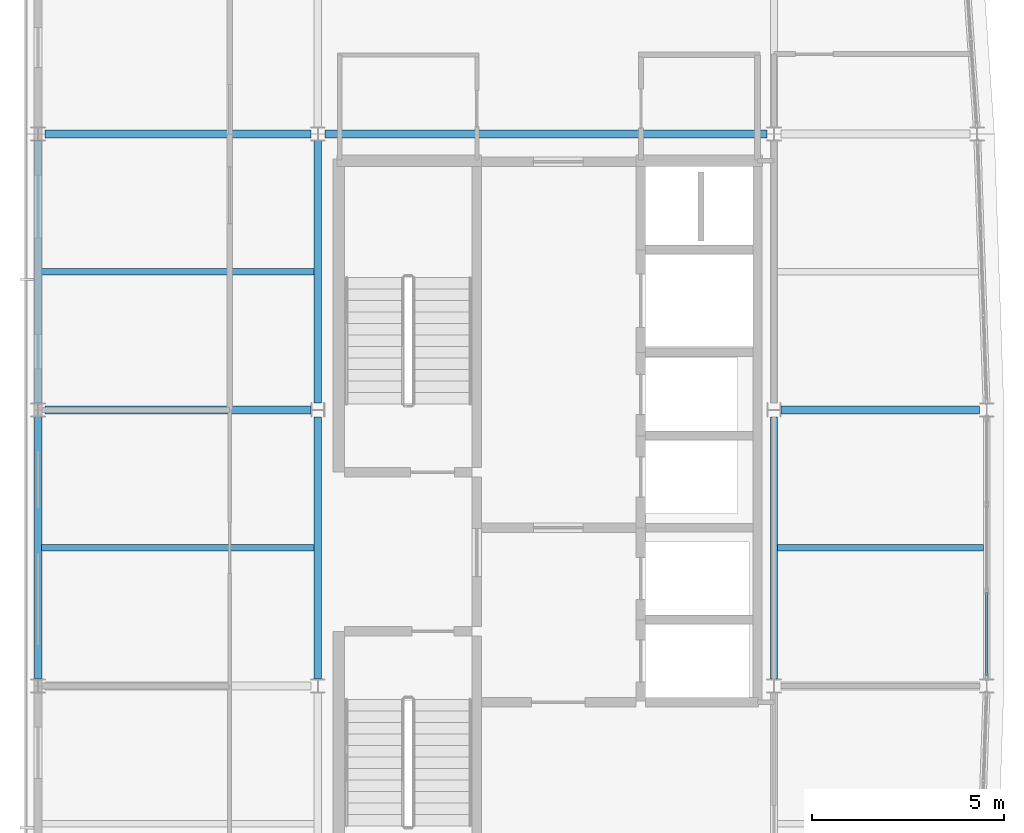
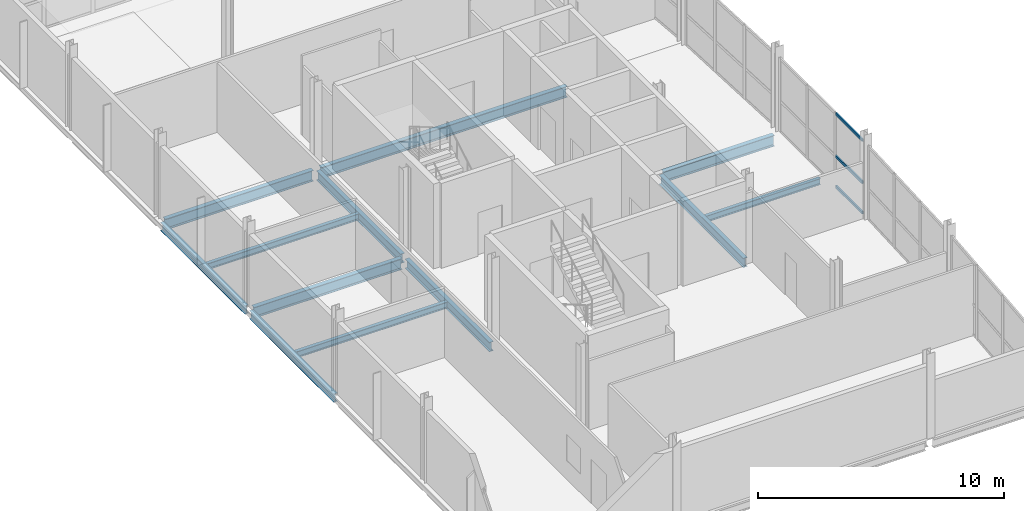
# One storey, part 3 of 17: 12 beams, 3 members, 1 element without a shape of its own.
"""IFC4 building model written with IfcOpenShell, lengths in metres."""

from ifc_helpers import new_model, si_unit, direction, frame, origin, origin_2d, place, context, subcontext, project, spatial, hollow_rectangle, i_section, extrude, material, layer, layer_set, material_profile, profile_set, type_object, element, aggregate, save


model = new_model("IFC4")

# Units and contexts
model_context = context("Model", 3, precision=1e-05, world=origin(), true_north=direction((0.0, 1.0)))
body_context = subcontext(model_context, "Body", "Model", "MODEL_VIEW")
ifc_project = project(units=[si_unit("LENGTHUNIT", "METRE"), si_unit("AREAUNIT", "SQUARE_METRE"), si_unit("VOLUMEUNIT", "CUBIC_METRE"), si_unit("PLANEANGLEUNIT", "RADIAN"), si_unit("MASSUNIT", "GRAM", prefix="KILO")], contexts=[model_context])

# Site, building, storey
site_placement = place(None, origin())
site = spatial("IfcSite", under=ifc_project, at=site_placement, CompositionType="ELEMENT")
building_placement = place(site_placement, origin())
building = spatial("IfcBuilding", under=site, at=building_placement, Name="Quillay Park Conservatory", CompositionType="ELEMENT")
storey_placement = place(building_placement, frame((0.0, 0.0, 56.10009765625)))
storey = spatial("IfcBuildingStorey", under=building, at=storey_placement, Name="L13", CompositionType="ELEMENT", Elevation=56.10009765625)

# Beams
ifc_material_1 = material(Name="Steel ASTM A992 Grade 50", Category="steel")
ifc_material_profile_1 = material_profile(ifc_material_1, i_section(OverallWidth=0.166015625, OverallDepth=0.31298828125, WebThickness=0.006591796875, FlangeThickness=0.01123046875, FilletRadius=0.010009765625, at=origin_2d()), Name="W310x45")
ifc_profile_set_1 = profile_set([ifc_material_profile_1], Name="Steel ASTM A992 Grade 50")
beam_type_1 = type_object("IfcBeamType", Name="COMPOSITE FLOOR JOIST W310 X45", PredefinedType="JOIST", material=ifc_profile_set_1)
beam_1_placement = place(storey_placement, frame((0.639892578125, 88.800048828125, -0.356689453125), z_axis=(1.0, 0.0, 0.0), x_axis=(0.0, 1.0, 0.0)))
element("IfcBeam", 1, at=beam_1_placement, inside=storey, type_object=beam_type_1, Name="L13 beam BM-J-0920", PredefinedType="JOIST", context=body_context, shape_type="SweptSolid", body=[
    extrude(i_section(OverallWidth=0.166015625, OverallDepth=0.31298828125, WebThickness=0.006591796875, FlangeThickness=0.01123046875, FilletRadius=0.010009765625, at=origin_2d()), origin(), (0.0, 0.0, 1.0), 7.114013671875),
])
beam_2_placement = place(storey_placement, frame((19.845947265625, 88.800048828125, -0.356689453125), z_axis=(1.0, 0.0, 0.0), x_axis=(0.0, 1.0, 0.0)))
element("IfcBeam", 2, at=beam_2_placement, inside=storey, type_object=beam_type_1, Name="L13 beam BM-J-0921", PredefinedType="JOIST", context=body_context, shape_type="SweptSolid", body=[
    extrude(i_section(OverallWidth=0.166015625, OverallDepth=0.31298828125, WebThickness=0.006591796875, FlangeThickness=0.01123046875, FilletRadius=0.010009765625, at=origin_2d()), origin(), (0.0, 0.0, 1.0), 5.364013671875),
])
beam_3_placement = place(storey_placement, frame((0.639892578125, 96.0, -0.356689453125), z_axis=(1.0, 0.0, 0.0), x_axis=(0.0, 1.0, 0.0)))
element("IfcBeam", 3, at=beam_3_placement, inside=storey, type_object=beam_type_1, Name="L13 beam BM-J-0926", PredefinedType="JOIST", context=body_context, shape_type="SweptSolid", body=[
    extrude(i_section(OverallWidth=0.166015625, OverallDepth=0.31298828125, WebThickness=0.006591796875, FlangeThickness=0.01123046875, FilletRadius=0.010009765625, at=origin_2d()), origin(), (0.0, 0.0, 1.0), 7.114013671875),
])

# Curtain wall, members
ifc_material_2 = material(Name="Thermally Broken Anodised Aluminium 6063-T6", Category="aluminium")
ifc_layer = layer(ifc_material_2, 0.179931640625)
ifc_layer_set = layer_set([ifc_layer], Name="UNITISED CURTAIN WALL TOWER (Thermally Broken Anodised Aluminium 6063-T6)")
curtain_wall_type = type_object("IfcCurtainWallType", Name="UNITISED CURTAIN WALL TOWER", PredefinedType="USERDEFINED", material=ifc_layer_set)
curtain_wall_placement = place(storey_placement, origin())
curtain_wall = element("IfcCurtainWall", 4, at=curtain_wall_placement, inside=storey, type_object=curtain_wall_type, Name="L13 Unitised Curtain Wall 124", ObjectType="UNITISED CURTAIN WALL", PredefinedType="USERDEFINED")
ifc_material_3 = material(Name="Thermally Broken Anodised Aluminium 6063-T6", Category="aluminium")
ifc_material_profile_2 = material_profile(ifc_material_3, hollow_rectangle(XDim=0.070068359375, YDim=0.1298828125, WallThickness=0.003173828125, at=origin_2d()), Name="AL70x130x3.2")
ifc_profile_set_2 = profile_set([ifc_material_profile_2], Name="Thermally Broken Anodised Aluminium 6063-T6")
member_type = type_object("IfcMemberType", Name="CURTAIN WALL TRANSOM 70 X130", PredefinedType="USERDEFINED", material=ifc_profile_set_2)
member_1_placement = place(storey_placement, frame((25.300048828125, 87.631591796875, 0.034912109375), z_axis=(0.0, -1.0, 0.0), x_axis=(1.0, 0.0, 0.0)))
member_1 = element("IfcMember", 5, at=member_1_placement, type_object=member_type, Name="CW-T1 transom 3.1", ObjectType="TRANSOM", PredefinedType="USERDEFINED", context=body_context, shape_type="SweptSolid", body=[
    extrude(hollow_rectangle(XDim=0.070068359375, YDim=0.1298828125, WallThickness=0.003173828125, at=origin_2d()), origin(), (0.0, 0.0, 1.0), 2.16162109375),
])
member_2_placement = place(storey_placement, frame((25.300048828125, 87.631591796875, 1.5400390625), z_axis=(0.0, -1.0, 0.0), x_axis=(1.0, 0.0, 0.0)))
member_2 = element("IfcMember", 6, at=member_2_placement, type_object=member_type, Name="CW-T1 transom 3.2", ObjectType="TRANSOM", PredefinedType="USERDEFINED", context=body_context, shape_type="SweptSolid", body=[
    extrude(hollow_rectangle(XDim=0.070068359375, YDim=0.1298828125, WallThickness=0.003173828125, at=origin_2d()), origin(), (0.0, 0.0, 1.0), 2.16162109375),
])
member_3_placement = place(storey_placement, frame((25.300048828125, 87.631591796875, 3.6318359375), z_axis=(0.0, -1.0, 0.0), x_axis=(1.0, 0.0, 0.0)))
member_3 = element("IfcMember", 7, at=member_3_placement, type_object=member_type, Name="CW-T1 transom 3.3", ObjectType="TRANSOM", PredefinedType="USERDEFINED", context=body_context, shape_type="SweptSolid", body=[
    extrude(hollow_rectangle(XDim=0.070068359375, YDim=0.1298828125, WallThickness=0.003173828125, at=origin_2d()), origin(), (0.0, 0.0, 1.0), 2.16162109375),
])
aggregate(curtain_wall, [member_1, member_2, member_3])

# Beams
ifc_material_4 = material(Name="Steel ASTM A992 Grade 50", Category="steel")
ifc_material_profile_3 = material_profile(ifc_material_4, i_section(OverallWidth=0.179931640625, OverallDepth=0.4130859375, WebThickness=0.009765625, FlangeThickness=0.01611328125, FilletRadius=0.011962890625, at=origin_2d()), Name="W410x74")
ifc_profile_set_3 = profile_set([ifc_material_profile_3], Name="Steel ASTM A992 Grade 50")
beam_type_2 = type_object("IfcBeamType", Name="PERIMETER SPANDREL BEAM W410 X74", PredefinedType="SPANDREL", material=ifc_profile_set_3)
beam_4_placement = place(storey_placement, frame((0.550048828125, 85.3779296875, -0.406494140625), z_axis=(0.0, 1.0, 0.0), x_axis=(-1.0, 0.0, 0.0)))
element("IfcBeam", 8, at=beam_4_placement, inside=storey, type_object=beam_type_2, Name="L13 beam BM-SPW-0916", PredefinedType="SPANDREL", context=body_context, shape_type="SweptSolid", body=[
    extrude(i_section(OverallWidth=0.179931640625, OverallDepth=0.4130859375, WebThickness=0.009765625, FlangeThickness=0.01611328125, FilletRadius=0.011962890625, at=origin_2d()), origin(), (0.0, 0.0, 1.0), 6.843994140625),
])
beam_5_placement = place(storey_placement, frame((0.550048828125, 92.577880859375, -0.406494140625), z_axis=(0.0, 1.0, 0.0), x_axis=(-1.0, 0.0, 0.0)))
element("IfcBeam", 9, at=beam_5_placement, inside=storey, type_object=beam_type_2, Name="L13 beam BM-SPW-0922", PredefinedType="SPANDREL", context=body_context, shape_type="SweptSolid", body=[
    extrude(i_section(OverallWidth=0.179931640625, OverallDepth=0.4130859375, WebThickness=0.009765625, FlangeThickness=0.01611328125, FilletRadius=0.011962890625, at=origin_2d()), origin(), (0.0, 0.0, 1.0), 6.84423828125),
])
ifc_material_5 = material(Name="Steel ASTM A992 Grade 50", Category="steel")
ifc_material_profile_4 = material_profile(ifc_material_5, i_section(OverallWidth=0.19189453125, OverallDepth=0.462890625, WebThickness=0.010498046875, FlangeThickness=0.017578125, FilletRadius=0.012939453125, at=origin_2d()), Name="W460x89")
ifc_profile_set_4 = profile_set([ifc_material_profile_4], Name="Steel ASTM A992 Grade 50")
beam_type_3 = type_object("IfcBeamType", Name="PRIMARY FLOOR GIRDER W460 X89", PredefinedType="BEAM", material=ifc_profile_set_4)
for number, where, z_axis, x_axis, name in (
    (10, (7.85009765625, 85.3779296875, -0.431640625), (0.0, 1.0, 0.0), (-1.0, 0.0, 0.0), "L13 beam BM-GNS-0918"),
    (11, (19.75, 85.3779296875, -0.431640625), (0.0, 1.0, 0.0), (-1.0, 0.0, 0.0), "L13 beam BM-GNS-0919"),
    (12, (7.85009765625, 92.58447265625, -0.431640625), (0.0, 1.0, 0.0), (-1.0, 0.0, 0.0), "L13 beam BM-GNS-0924"),
):
    element("IfcBeam", number, at=place(storey_placement, frame(where, z_axis=z_axis, x_axis=x_axis)), inside=storey, type_object=beam_type_3, Name=name, PredefinedType="BEAM", context=body_context, shape_type="SweptSolid", body=[
        extrude(i_section(OverallWidth=0.19189453125, OverallDepth=0.462890625, WebThickness=0.010498046875, FlangeThickness=0.017578125, FilletRadius=0.012939453125, at=origin_2d()), origin(), (0.0, 0.0, 1.0), 6.837646484375),
    ])
ifc_material_6 = material(Name="Steel ASTM A992 Grade 50", Category="steel")
ifc_material_profile_5 = material_profile(ifc_material_6, i_section(OverallWidth=0.2109375, OverallDepth=0.5390625, WebThickness=0.01171875, FlangeThickness=0.018798828125, FilletRadius=0.013916015625, at=origin_2d()), Name="W530x109")
ifc_profile_set_5 = profile_set([ifc_material_profile_5], Name="Steel ASTM A992 Grade 50")
beam_type_4 = type_object("IfcBeamType", Name="PRIMARY FLOOR GIRDER W530 X109", PredefinedType="BEAM", material=ifc_profile_set_5)
beam_6_placement = place(storey_placement, frame((0.734619140625, 92.39990234375, -0.469482421875), z_axis=(1.0, 0.0, 0.0), x_axis=(0.0, 1.0, 0.0)))
element("IfcBeam", 13, at=beam_6_placement, inside=storey, type_object=beam_type_4, Name="L13 beam BM-G-0892", PredefinedType="BEAM", context=body_context, shape_type="SweptSolid", body=[
    extrude(i_section(OverallWidth=0.2109375, OverallDepth=0.5390625, WebThickness=0.01171875, FlangeThickness=0.018798828125, FilletRadius=0.013916015625, at=origin_2d()), origin(), (0.0, 0.0, 1.0), 6.9375),
])
beam_7_placement = place(storey_placement, frame((19.927978515625, 92.39990234375, -0.469482421875), z_axis=(1.0, 0.0, 0.0), x_axis=(0.0, 1.0, 0.0)))
element("IfcBeam", 14, at=beam_7_placement, inside=storey, type_object=beam_type_4, Name="L13 beam BM-G-0893", PredefinedType="BEAM", context=body_context, shape_type="SweptSolid", body=[
    extrude(i_section(OverallWidth=0.2109375, OverallDepth=0.5390625, WebThickness=0.01171875, FlangeThickness=0.018798828125, FilletRadius=0.013916015625, at=origin_2d()), origin(), (0.0, 0.0, 1.0), 5.1875),
])
beam_8_placement = place(storey_placement, frame((0.734619140625, 99.60009765625, -0.469482421875), z_axis=(1.0, 0.0, 0.0), x_axis=(0.0, 1.0, 0.0)))
element("IfcBeam", 15, at=beam_8_placement, inside=storey, type_object=beam_type_4, Name="L13 beam BM-G-0894", PredefinedType="BEAM", context=body_context, shape_type="SweptSolid", body=[
    extrude(i_section(OverallWidth=0.2109375, OverallDepth=0.5390625, WebThickness=0.01171875, FlangeThickness=0.018798828125, FilletRadius=0.013916015625, at=origin_2d()), origin(), (0.0, 0.0, 1.0), 6.930908203125),
])
beam_9_placement = place(storey_placement, frame((8.034423828125, 99.60009765625, -0.469482421875), z_axis=(1.0, 0.0, 0.0), x_axis=(0.0, 1.0, 0.0)))
element("IfcBeam", 16, at=beam_9_placement, inside=storey, type_object=beam_type_4, Name="L13 beam BM-G-0895", PredefinedType="BEAM", context=body_context, shape_type="SweptSolid", body=[
    extrude(i_section(OverallWidth=0.2109375, OverallDepth=0.5390625, WebThickness=0.01171875, FlangeThickness=0.018798828125, FilletRadius=0.013916015625, at=origin_2d()), origin(), (0.0, 0.0, 1.0), 11.531005859375),
])

save(model, "model.ifc")
